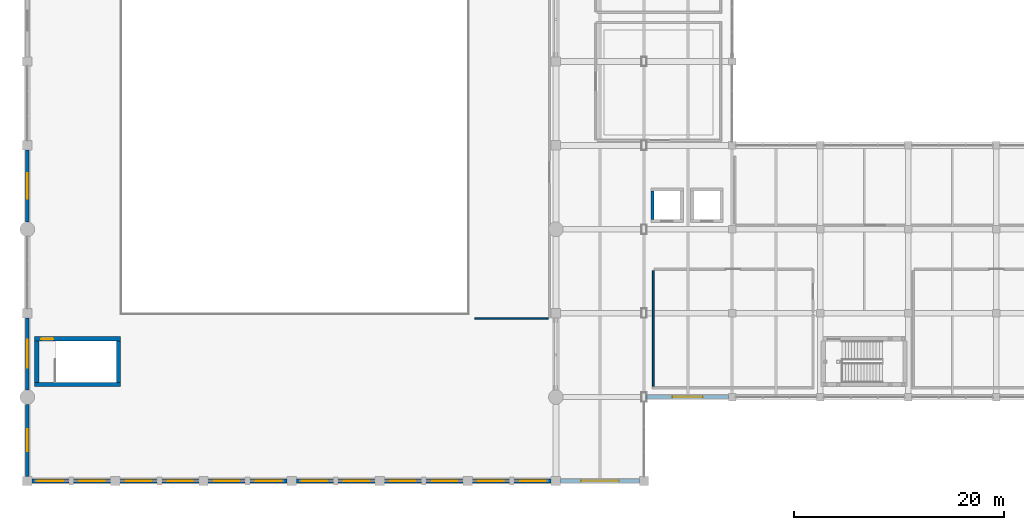
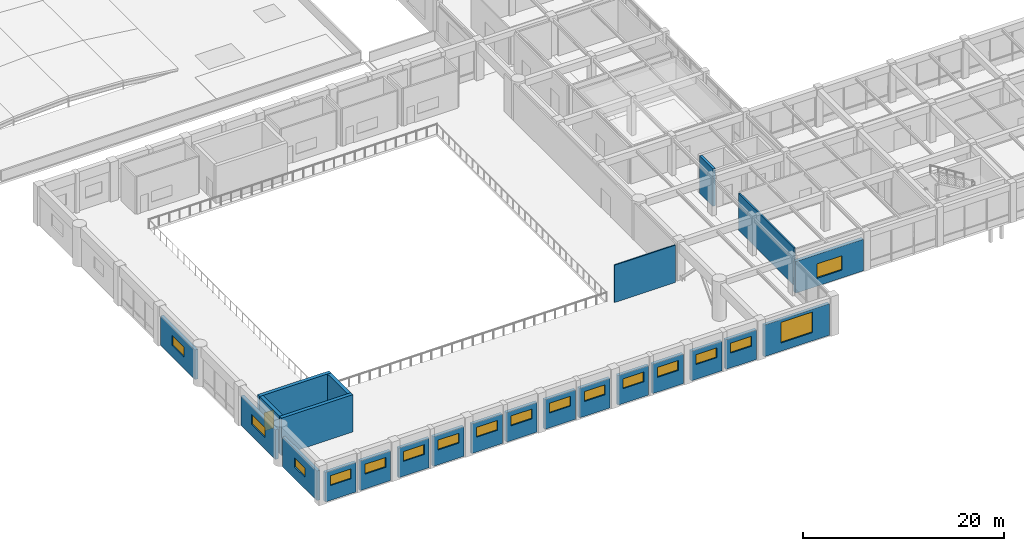
# One storey, part 49 of 76: 24 walls, 17 windows, 1 door, 18 openings.
"""IFC4 building model written with IfcOpenShell, lengths in metres."""

from ifc_helpers import new_model, si_unit, direction, frame, frame_2d, origin, place, context, subcontext, project, spatial, rectangle, extrude, material, layer, layer_set, type_object, element, fill, save


model = new_model("IFC4")

# Units and contexts
model_context = context("Model", 3, precision=1e-05, world=origin(), true_north=direction((0.0, 1.0)))
body_context = subcontext(model_context, "Body", "Model", "MODEL_VIEW")
ifc_project = project(units=[si_unit("LENGTHUNIT", "METRE"), si_unit("AREAUNIT", "SQUARE_METRE"), si_unit("VOLUMEUNIT", "CUBIC_METRE"), si_unit("PLANEANGLEUNIT", "RADIAN"), si_unit("MASSUNIT", "GRAM", prefix="KILO")], contexts=[model_context])

# Site, building, storey
site_placement = place(None, origin())
site = spatial("IfcSite", under=ifc_project, at=site_placement, CompositionType="ELEMENT")
building_placement = place(site_placement, origin())
building = spatial("IfcBuilding", under=site, at=building_placement, Name="Naruveol Harbour Congress Hotel", CompositionType="ELEMENT")
storey_placement = place(building_placement, frame((0.0, 0.0, 11.39990234375)))
storey = spatial("IfcBuildingStorey", under=building, at=storey_placement, Name="L02", CompositionType="ELEMENT", Elevation=11.39990234375)

# Wall, opening, window
ifc_material_1 = material(Name="Concrete C40/50", Category="concrete")
ifc_layer_1 = layer(ifc_material_1, 0.340087890625)
ifc_layer_set_1 = layer_set([ifc_layer_1], Name="Concrete C40/50")
wall_type_1 = type_object("IfcWallType", Name="ACOUSTIC CONGRESS ENVELOPE WALL 340", PredefinedType="SOLIDWALL", material=ifc_layer_set_1)
wall_1_placement = place(storey_placement, frame((49.949951171875, 0.0, 0.0), z_axis=(0.0, 0.0, 1.0), x_axis=(-1.0, 0.0, 0.0)))
wall_1 = element("IfcWall", 1, at=wall_1_placement, inside=storey, type_object=wall_type_1, Name="Congress south acoustic facade EW-340", PredefinedType="SOLIDWALL", context=body_context, shape_type="SweptSolid", body=[
    extrude(rectangle(XDim=3.52490234375, YDim=0.340087890625, at=frame_2d((1.762451171875, 0.0))), origin(), (0.0, 0.0, 1.0), 3.60009765625),
])
opening_1_placement = place(wall_1_placement, frame((0.56298828125, 0.0, 1.800048828125)))
opening_1 = element("IfcOpeningElement", 2, at=opening_1_placement, cuts=wall_1, Name="Opening W-19", PredefinedType="OPENING", context=body_context, shape_type="SweptSolid", body=[
    extrude(rectangle(XDim=2.39990234375, YDim=1.199951171875, at=frame_2d((1.199951171875, 0.60009765625))), frame((0.0, 0.179931640625, 0.0), z_axis=(0.0, -1.0, 0.0), x_axis=(1.0, 0.0, 0.0)), (0.0, 0.0, 1.0), 0.360107421875),
])
ifc_material_2 = material(Name="Low-E Triple Glazing in Thermal Aluminium", Category="aluminium")
window_type_1 = type_object("IfcWindowType", Name="AUDITORIUM ACOUSTIC CLERESTORY 2400X1200", PartitioningType="DOUBLE_PANEL_VERTICAL", PredefinedType="WINDOW", material=ifc_material_2)
window_1_placement = place(opening_1_placement, origin())
window_1 = element("IfcWindow", 3, at=window_1_placement, inside=storey, type_object=window_type_1, Name="Window W-19 #55", OverallHeight=1.199951171875, OverallWidth=2.39990234375, PartitioningType="DOUBLE_PANEL_VERTICAL", PredefinedType="WINDOW", context=body_context, shape_type="SweptSolid", body=[
    extrude(rectangle(XDim=2.39990234375, YDim=1.199951171875, at=frame_2d((1.199951171875, 0.60009765625))), frame((0.0, 0.030029296875, 0.0), z_axis=(0.0, -1.0, 0.0), x_axis=(1.0, 0.0, 0.0)), (0.0, 0.0, 1.0), 0.06005859375),
])
fill(opening_1, window_1)

wall_2_placement = place(storey_placement, frame((45.97509765625, 0.0, 0.0), z_axis=(0.0, 0.0, 1.0), x_axis=(-1.0, 0.0, 0.0)))
wall_2 = element("IfcWall", 4, at=wall_2_placement, inside=storey, type_object=wall_type_1, Name="Congress south acoustic facade EW-340", PredefinedType="SOLIDWALL", context=body_context, shape_type="SweptSolid", body=[
    extrude(rectangle(XDim=3.525146484375, YDim=0.340087890625, at=frame_2d((1.7626953125, 0.0))), origin(), (0.0, 0.0, 1.0), 3.60009765625),
])
opening_2_placement = place(wall_2_placement, frame((0.56201171875, 0.0, 1.800048828125)))
opening_2 = element("IfcOpeningElement", 5, at=opening_2_placement, cuts=wall_2, Name="Opening W-19", PredefinedType="OPENING", context=body_context, shape_type="SweptSolid", body=[
    extrude(rectangle(XDim=2.39990234375, YDim=1.199951171875, at=frame_2d((1.199951171875, 0.60009765625))), frame((0.0, 0.179931640625, 0.0), z_axis=(0.0, -1.0, 0.0), x_axis=(1.0, 0.0, 0.0)), (0.0, 0.0, 1.0), 0.360107421875),
])
window_2_placement = place(opening_2_placement, origin())
window_2 = element("IfcWindow", 6, at=window_2_placement, inside=storey, type_object=window_type_1, Name="Window W-19 #56", OverallHeight=1.199951171875, OverallWidth=2.39990234375, PartitioningType="DOUBLE_PANEL_VERTICAL", PredefinedType="WINDOW", context=body_context, shape_type="SweptSolid", body=[
    extrude(rectangle(XDim=2.39990234375, YDim=1.199951171875, at=frame_2d((1.199951171875, 0.60009765625))), frame((0.0, 0.030029296875, 0.0), z_axis=(0.0, -1.0, 0.0), x_axis=(1.0, 0.0, 0.0)), (0.0, 0.0, 1.0), 0.06005859375),
])
fill(opening_2, window_2)

wall_3_placement = place(storey_placement, frame((41.550048828125, 0.0, 0.0), z_axis=(0.0, 0.0, 1.0), x_axis=(-1.0, 0.0, 0.0)))
wall_3 = element("IfcWall", 7, at=wall_3_placement, inside=storey, type_object=wall_type_1, Name="Congress south acoustic facade EW-340", PredefinedType="SOLIDWALL", context=body_context, shape_type="SweptSolid", body=[
    extrude(rectangle(XDim=3.525146484375, YDim=0.340087890625, at=frame_2d((1.7626953125, 0.0))), origin(), (0.0, 0.0, 1.0), 3.60009765625),
])
opening_3_placement = place(wall_3_placement, frame((0.56201171875, 0.0, 1.800048828125)))
opening_3 = element("IfcOpeningElement", 8, at=opening_3_placement, cuts=wall_3, Name="Opening W-19", PredefinedType="OPENING", context=body_context, shape_type="SweptSolid", body=[
    extrude(rectangle(XDim=2.39990234375, YDim=1.199951171875, at=frame_2d((1.199951171875, 0.60009765625))), frame((0.0, 0.179931640625, 0.0), z_axis=(0.0, -1.0, 0.0), x_axis=(1.0, 0.0, 0.0)), (0.0, 0.0, 1.0), 0.360107421875),
])
window_3_placement = place(opening_3_placement, origin())
window_3 = element("IfcWindow", 9, at=window_3_placement, inside=storey, type_object=window_type_1, Name="Window W-19 #57", OverallHeight=1.199951171875, OverallWidth=2.39990234375, PartitioningType="DOUBLE_PANEL_VERTICAL", PredefinedType="WINDOW", context=body_context, shape_type="SweptSolid", body=[
    extrude(rectangle(XDim=2.39990234375, YDim=1.199951171875, at=frame_2d((1.199951171875, 0.60009765625))), frame((0.0, 0.030029296875, 0.0), z_axis=(0.0, -1.0, 0.0), x_axis=(1.0, 0.0, 0.0)), (0.0, 0.0, 1.0), 0.06005859375),
])
fill(opening_3, window_3)

wall_4_placement = place(storey_placement, frame((37.574951171875, 0.0, 0.0), z_axis=(0.0, 0.0, 1.0), x_axis=(-1.0, 0.0, 0.0)))
wall_4 = element("IfcWall", 10, at=wall_4_placement, inside=storey, type_object=wall_type_1, Name="Congress south acoustic facade EW-340", PredefinedType="SOLIDWALL", context=body_context, shape_type="SweptSolid", body=[
    extrude(rectangle(XDim=3.52490234375, YDim=0.340087890625, at=frame_2d((1.762451171875, 0.0))), origin(), (0.0, 0.0, 1.0), 3.60009765625),
])
opening_4_placement = place(wall_4_placement, frame((0.56298828125, 0.0, 1.800048828125)))
opening_4 = element("IfcOpeningElement", 11, at=opening_4_placement, cuts=wall_4, Name="Opening W-19", PredefinedType="OPENING", context=body_context, shape_type="SweptSolid", body=[
    extrude(rectangle(XDim=2.39990234375, YDim=1.199951171875, at=frame_2d((1.199951171875, 0.60009765625))), frame((0.0, 0.179931640625, 0.0), z_axis=(0.0, -1.0, 0.0), x_axis=(1.0, 0.0, 0.0)), (0.0, 0.0, 1.0), 0.360107421875),
])
window_4_placement = place(opening_4_placement, origin())
window_4 = element("IfcWindow", 12, at=window_4_placement, inside=storey, type_object=window_type_1, Name="Window W-19 #58", OverallHeight=1.199951171875, OverallWidth=2.39990234375, PartitioningType="DOUBLE_PANEL_VERTICAL", PredefinedType="WINDOW", context=body_context, shape_type="SweptSolid", body=[
    extrude(rectangle(XDim=2.39990234375, YDim=1.199951171875, at=frame_2d((1.199951171875, 0.60009765625))), frame((0.0, 0.030029296875, 0.0), z_axis=(0.0, -1.0, 0.0), x_axis=(1.0, 0.0, 0.0)), (0.0, 0.0, 1.0), 0.06005859375),
])
fill(opening_4, window_4)

wall_5_placement = place(storey_placement, frame((33.14990234375, 0.0, 0.0), z_axis=(0.0, 0.0, 1.0), x_axis=(-1.0, 0.0, 0.0)))
wall_5 = element("IfcWall", 13, at=wall_5_placement, inside=storey, type_object=wall_type_1, Name="Congress south acoustic facade EW-340", PredefinedType="SOLIDWALL", context=body_context, shape_type="SweptSolid", body=[
    extrude(rectangle(XDim=3.52490234375, YDim=0.340087890625, at=frame_2d((1.762451171875, 0.0))), origin(), (0.0, 0.0, 1.0), 3.60009765625),
])
opening_5_placement = place(wall_5_placement, frame((0.56201171875, 0.0, 1.800048828125)))
opening_5 = element("IfcOpeningElement", 14, at=opening_5_placement, cuts=wall_5, Name="Opening W-19", PredefinedType="OPENING", context=body_context, shape_type="SweptSolid", body=[
    extrude(rectangle(XDim=2.39990234375, YDim=1.199951171875, at=frame_2d((1.199951171875, 0.60009765625))), frame((0.0, 0.179931640625, 0.0), z_axis=(0.0, -1.0, 0.0), x_axis=(1.0, 0.0, 0.0)), (0.0, 0.0, 1.0), 0.360107421875),
])
window_5_placement = place(opening_5_placement, origin())
window_5 = element("IfcWindow", 15, at=window_5_placement, inside=storey, type_object=window_type_1, Name="Window W-19 #59", OverallHeight=1.199951171875, OverallWidth=2.39990234375, PartitioningType="DOUBLE_PANEL_VERTICAL", PredefinedType="WINDOW", context=body_context, shape_type="SweptSolid", body=[
    extrude(rectangle(XDim=2.39990234375, YDim=1.199951171875, at=frame_2d((1.199951171875, 0.60009765625))), frame((0.0, 0.030029296875, 0.0), z_axis=(0.0, -1.0, 0.0), x_axis=(1.0, 0.0, 0.0)), (0.0, 0.0, 1.0), 0.06005859375),
])
fill(opening_5, window_5)

wall_6_placement = place(storey_placement, frame((29.175048828125, 0.0, 0.0), z_axis=(0.0, 0.0, 1.0), x_axis=(-1.0, 0.0, 0.0)))
wall_6 = element("IfcWall", 16, at=wall_6_placement, inside=storey, type_object=wall_type_1, Name="Congress south acoustic facade EW-340", PredefinedType="SOLIDWALL", context=body_context, shape_type="SweptSolid", body=[
    extrude(rectangle(XDim=3.525146484375, YDim=0.340087890625, at=frame_2d((1.7626953125, 0.0))), origin(), (0.0, 0.0, 1.0), 3.60009765625),
])
opening_6_placement = place(wall_6_placement, frame((0.56298828125, 0.0, 1.800048828125)))
opening_6 = element("IfcOpeningElement", 17, at=opening_6_placement, cuts=wall_6, Name="Opening W-19", PredefinedType="OPENING", context=body_context, shape_type="SweptSolid", body=[
    extrude(rectangle(XDim=2.39990234375, YDim=1.199951171875, at=frame_2d((1.199951171875, 0.60009765625))), frame((0.0, 0.179931640625, 0.0), z_axis=(0.0, -1.0, 0.0), x_axis=(1.0, 0.0, 0.0)), (0.0, 0.0, 1.0), 0.360107421875),
])
window_6_placement = place(opening_6_placement, origin())
window_6 = element("IfcWindow", 18, at=window_6_placement, inside=storey, type_object=window_type_1, Name="Window W-19 #60", OverallHeight=1.199951171875, OverallWidth=2.39990234375, PartitioningType="DOUBLE_PANEL_VERTICAL", PredefinedType="WINDOW", context=body_context, shape_type="SweptSolid", body=[
    extrude(rectangle(XDim=2.39990234375, YDim=1.199951171875, at=frame_2d((1.199951171875, 0.60009765625))), frame((0.0, 0.030029296875, 0.0), z_axis=(0.0, -1.0, 0.0), x_axis=(1.0, 0.0, 0.0)), (0.0, 0.0, 1.0), 0.06005859375),
])
fill(opening_6, window_6)

wall_7_placement = place(storey_placement, frame((24.75, 0.0, 0.0), z_axis=(0.0, 0.0, 1.0), x_axis=(-1.0, 0.0, 0.0)))
wall_7 = element("IfcWall", 19, at=wall_7_placement, inside=storey, type_object=wall_type_1, Name="Congress south acoustic facade EW-340", PredefinedType="SOLIDWALL", context=body_context, shape_type="SweptSolid", body=[
    extrude(rectangle(XDim=3.52490234375, YDim=0.340087890625, at=frame_2d((1.762451171875, 0.0))), origin(), (0.0, 0.0, 1.0), 3.60009765625),
])
opening_7_placement = place(wall_7_placement, frame((0.56201171875, 0.0, 1.800048828125)))
opening_7 = element("IfcOpeningElement", 20, at=opening_7_placement, cuts=wall_7, Name="Opening W-19", PredefinedType="OPENING", context=body_context, shape_type="SweptSolid", body=[
    extrude(rectangle(XDim=2.39990234375, YDim=1.199951171875, at=frame_2d((1.199951171875, 0.60009765625))), frame((0.0, 0.179931640625, 0.0), z_axis=(0.0, -1.0, 0.0), x_axis=(1.0, 0.0, 0.0)), (0.0, 0.0, 1.0), 0.360107421875),
])
window_7_placement = place(opening_7_placement, origin())
window_7 = element("IfcWindow", 21, at=window_7_placement, inside=storey, type_object=window_type_1, Name="Window W-19 #61", OverallHeight=1.199951171875, OverallWidth=2.39990234375, PartitioningType="DOUBLE_PANEL_VERTICAL", PredefinedType="WINDOW", context=body_context, shape_type="SweptSolid", body=[
    extrude(rectangle(XDim=2.39990234375, YDim=1.199951171875, at=frame_2d((1.199951171875, 0.60009765625))), frame((0.0, 0.030029296875, 0.0), z_axis=(0.0, -1.0, 0.0), x_axis=(1.0, 0.0, 0.0)), (0.0, 0.0, 1.0), 0.06005859375),
])
fill(opening_7, window_7)

wall_8_placement = place(storey_placement, frame((20.77490234375, 0.0, 0.0), z_axis=(0.0, 0.0, 1.0), x_axis=(-1.0, 0.0, 0.0)))
wall_8 = element("IfcWall", 22, at=wall_8_placement, inside=storey, type_object=wall_type_1, Name="Congress south acoustic facade EW-340", PredefinedType="SOLIDWALL", context=body_context, shape_type="SweptSolid", body=[
    extrude(rectangle(XDim=3.52490234375, YDim=0.340087890625, at=frame_2d((1.762451171875, 0.0))), origin(), (0.0, 0.0, 1.0), 3.60009765625),
])
opening_8_placement = place(wall_8_placement, frame((0.56201171875, 0.0, 1.800048828125)))
opening_8 = element("IfcOpeningElement", 23, at=opening_8_placement, cuts=wall_8, Name="Opening W-19", PredefinedType="OPENING", context=body_context, shape_type="SweptSolid", body=[
    extrude(rectangle(XDim=2.39990234375, YDim=1.199951171875, at=frame_2d((1.199951171875, 0.60009765625))), frame((0.0, 0.179931640625, 0.0), z_axis=(0.0, -1.0, 0.0), x_axis=(1.0, 0.0, 0.0)), (0.0, 0.0, 1.0), 0.360107421875),
])
window_8_placement = place(opening_8_placement, origin())
window_8 = element("IfcWindow", 24, at=window_8_placement, inside=storey, type_object=window_type_1, Name="Window W-19 #62", OverallHeight=1.199951171875, OverallWidth=2.39990234375, PartitioningType="DOUBLE_PANEL_VERTICAL", PredefinedType="WINDOW", context=body_context, shape_type="SweptSolid", body=[
    extrude(rectangle(XDim=2.39990234375, YDim=1.199951171875, at=frame_2d((1.199951171875, 0.60009765625))), frame((0.0, 0.030029296875, 0.0), z_axis=(0.0, -1.0, 0.0), x_axis=(1.0, 0.0, 0.0)), (0.0, 0.0, 1.0), 0.06005859375),
])
fill(opening_8, window_8)

wall_9_placement = place(storey_placement, frame((16.35009765625, 0.0, 0.0), z_axis=(0.0, 0.0, 1.0), x_axis=(-1.0, 0.0, 0.0)))
wall_9 = element("IfcWall", 25, at=wall_9_placement, inside=storey, type_object=wall_type_1, Name="Congress south acoustic facade EW-340", PredefinedType="SOLIDWALL", context=body_context, shape_type="SweptSolid", body=[
    extrude(rectangle(XDim=3.525146484375, YDim=0.340087890625, at=frame_2d((1.7626953125, 0.0))), origin(), (0.0, 0.0, 1.0), 3.60009765625),
])
opening_9_placement = place(wall_9_placement, frame((0.56298828125, 0.0, 1.800048828125)))
opening_9 = element("IfcOpeningElement", 26, at=opening_9_placement, cuts=wall_9, Name="Opening W-19", PredefinedType="OPENING", context=body_context, shape_type="SweptSolid", body=[
    extrude(rectangle(XDim=2.39990234375, YDim=1.199951171875, at=frame_2d((1.199951171875, 0.60009765625))), frame((0.0, 0.179931640625, 0.0), z_axis=(0.0, -1.0, 0.0), x_axis=(1.0, 0.0, 0.0)), (0.0, 0.0, 1.0), 0.360107421875),
])
window_9_placement = place(opening_9_placement, origin())
window_9 = element("IfcWindow", 27, at=window_9_placement, inside=storey, type_object=window_type_1, Name="Window W-19 #63", OverallHeight=1.199951171875, OverallWidth=2.39990234375, PartitioningType="DOUBLE_PANEL_VERTICAL", PredefinedType="WINDOW", context=body_context, shape_type="SweptSolid", body=[
    extrude(rectangle(XDim=2.39990234375, YDim=1.199951171875, at=frame_2d((1.199951171875, 0.60009765625))), frame((0.0, 0.030029296875, 0.0), z_axis=(0.0, -1.0, 0.0), x_axis=(1.0, 0.0, 0.0)), (0.0, 0.0, 1.0), 0.06005859375),
])
fill(opening_9, window_9)

wall_10_placement = place(storey_placement, frame((12.375, 0.0, 0.0), z_axis=(0.0, 0.0, 1.0), x_axis=(-1.0, 0.0, 0.0)))
wall_10 = element("IfcWall", 28, at=wall_10_placement, inside=storey, type_object=wall_type_1, Name="Congress south acoustic facade EW-340", PredefinedType="SOLIDWALL", context=body_context, shape_type="SweptSolid", body=[
    extrude(rectangle(XDim=3.52490234375, YDim=0.340087890625, at=frame_2d((1.762451171875, 0.0))), origin(), (0.0, 0.0, 1.0), 3.60009765625),
])
opening_10_placement = place(wall_10_placement, frame((0.56298828125, 0.0, 1.800048828125)))
opening_10 = element("IfcOpeningElement", 29, at=opening_10_placement, cuts=wall_10, Name="Opening W-19", PredefinedType="OPENING", context=body_context, shape_type="SweptSolid", body=[
    extrude(rectangle(XDim=2.39990234375, YDim=1.199951171875, at=frame_2d((1.199951171875, 0.60009765625))), frame((0.0, 0.179931640625, 0.0), z_axis=(0.0, -1.0, 0.0), x_axis=(1.0, 0.0, 0.0)), (0.0, 0.0, 1.0), 0.360107421875),
])
window_10_placement = place(opening_10_placement, origin())
window_10 = element("IfcWindow", 30, at=window_10_placement, inside=storey, type_object=window_type_1, Name="Window W-19 #64", OverallHeight=1.199951171875, OverallWidth=2.39990234375, PartitioningType="DOUBLE_PANEL_VERTICAL", PredefinedType="WINDOW", context=body_context, shape_type="SweptSolid", body=[
    extrude(rectangle(XDim=2.39990234375, YDim=1.199951171875, at=frame_2d((1.199951171875, 0.60009765625))), frame((0.0, 0.030029296875, 0.0), z_axis=(0.0, -1.0, 0.0), x_axis=(1.0, 0.0, 0.0)), (0.0, 0.0, 1.0), 0.06005859375),
])
fill(opening_10, window_10)

wall_11_placement = place(storey_placement, frame((7.949951171875, 0.0, 0.0), z_axis=(0.0, 0.0, 1.0), x_axis=(-1.0, 0.0, 0.0)))
wall_11 = element("IfcWall", 31, at=wall_11_placement, inside=storey, type_object=wall_type_1, Name="Congress south acoustic facade EW-340", PredefinedType="SOLIDWALL", context=body_context, shape_type="SweptSolid", body=[
    extrude(rectangle(XDim=3.52490234375, YDim=0.340087890625, at=frame_2d((1.762451171875, 0.0))), origin(), (0.0, 0.0, 1.0), 3.60009765625),
])
opening_11_placement = place(wall_11_placement, frame((0.56298828125, 0.0, 1.800048828125)))
opening_11 = element("IfcOpeningElement", 32, at=opening_11_placement, cuts=wall_11, Name="Opening W-19", PredefinedType="OPENING", context=body_context, shape_type="SweptSolid", body=[
    extrude(rectangle(XDim=2.39990234375, YDim=1.199951171875, at=frame_2d((1.199951171875, 0.60009765625))), frame((0.0, 0.179931640625, 0.0), z_axis=(0.0, -1.0, 0.0), x_axis=(1.0, 0.0, 0.0)), (0.0, 0.0, 1.0), 0.360107421875),
])
window_11_placement = place(opening_11_placement, origin())
window_11 = element("IfcWindow", 33, at=window_11_placement, inside=storey, type_object=window_type_1, Name="Window W-19 #65", OverallHeight=1.199951171875, OverallWidth=2.39990234375, PartitioningType="DOUBLE_PANEL_VERTICAL", PredefinedType="WINDOW", context=body_context, shape_type="SweptSolid", body=[
    extrude(rectangle(XDim=2.39990234375, YDim=1.199951171875, at=frame_2d((1.199951171875, 0.60009765625))), frame((0.0, 0.030029296875, 0.0), z_axis=(0.0, -1.0, 0.0), x_axis=(1.0, 0.0, 0.0)), (0.0, 0.0, 1.0), 0.06005859375),
])
fill(opening_11, window_11)

wall_12_placement = place(storey_placement, frame((3.97509765625, 0.0, 0.0), z_axis=(0.0, 0.0, 1.0), x_axis=(-1.0, 0.0, 0.0)))
wall_12 = element("IfcWall", 34, at=wall_12_placement, inside=storey, type_object=wall_type_1, Name="Congress south acoustic facade EW-340", PredefinedType="SOLIDWALL", context=body_context, shape_type="SweptSolid", body=[
    extrude(rectangle(XDim=3.525146484375, YDim=0.340087890625, at=frame_2d((1.7626953125, 0.0))), origin(), (0.0, 0.0, 1.0), 3.60009765625),
])
opening_12_placement = place(wall_12_placement, frame((0.56201171875, 0.0, 1.800048828125)))
opening_12 = element("IfcOpeningElement", 35, at=opening_12_placement, cuts=wall_12, Name="Opening W-19", PredefinedType="OPENING", context=body_context, shape_type="SweptSolid", body=[
    extrude(rectangle(XDim=2.39990234375, YDim=1.199951171875, at=frame_2d((1.199951171875, 0.60009765625))), frame((0.0, 0.179931640625, 0.0), z_axis=(0.0, -1.0, 0.0), x_axis=(1.0, 0.0, 0.0)), (0.0, 0.0, 1.0), 0.360107421875),
])
window_12_placement = place(opening_12_placement, origin())
window_12 = element("IfcWindow", 36, at=window_12_placement, inside=storey, type_object=window_type_1, Name="Window W-19 #66", OverallHeight=1.199951171875, OverallWidth=2.39990234375, PartitioningType="DOUBLE_PANEL_VERTICAL", PredefinedType="WINDOW", context=body_context, shape_type="SweptSolid", body=[
    extrude(rectangle(XDim=2.39990234375, YDim=1.199951171875, at=frame_2d((1.199951171875, 0.60009765625))), frame((0.0, 0.030029296875, 0.0), z_axis=(0.0, -1.0, 0.0), x_axis=(1.0, 0.0, 0.0)), (0.0, 0.0, 1.0), 0.06005859375),
])
fill(opening_12, window_12)

wall_13_placement = place(storey_placement, frame((58.35009765625, 0.0, 0.0), z_axis=(0.0, 0.0, 1.0), x_axis=(-1.0, 0.0, 0.0)))
wall_13 = element("IfcWall", 37, at=wall_13_placement, inside=storey, type_object=wall_type_1, Name="Congress foyer south wall EW-340", PredefinedType="SOLIDWALL", context=body_context, shape_type="SweptSolid", body=[
    extrude(rectangle(XDim=7.5, YDim=0.340087890625, at=frame_2d((3.75, 0.0))), origin(), (0.0, 0.0, 1.0), 3.840087890625),
])
opening_13_placement = place(wall_13_placement, frame((1.949951171875, 0.0, 1.0)))
opening_13 = element("IfcOpeningElement", 38, at=opening_13_placement, cuts=wall_13, Name="Opening W-12", PredefinedType="OPENING", context=body_context, shape_type="SweptSolid", body=[
    extrude(rectangle(XDim=3.60009765625, YDim=2.5, at=frame_2d((1.800048828125, 1.25))), frame((0.0, 0.179931640625, 0.0), z_axis=(0.0, -1.0, 0.0), x_axis=(1.0, 0.0, 0.0)), (0.0, 0.0, 1.0), 0.360107421875),
])
ifc_material_3 = material(Name="Low-E Triple Glazing in Thermal Aluminium", Category="aluminium")
window_type_2 = type_object("IfcWindowType", Name="CONCOURSE PICTURE WINDOW 3600X2500", PartitioningType="DOUBLE_PANEL_VERTICAL", PredefinedType="WINDOW", material=ifc_material_3)
window_13_placement = place(opening_13_placement, origin())
window_13 = element("IfcWindow", 39, at=window_13_placement, inside=storey, type_object=window_type_2, Name="Window W-12 #67", OverallHeight=2.5, OverallWidth=3.60009765625, PartitioningType="DOUBLE_PANEL_VERTICAL", PredefinedType="WINDOW", context=body_context, shape_type="SweptSolid", body=[
    extrude(rectangle(XDim=3.60009765625, YDim=2.5, at=frame_2d((1.800048828125, 1.25))), frame((0.0, 0.030029296875, 0.0), z_axis=(0.0, -1.0, 0.0), x_axis=(1.0, 0.0, 0.0)), (0.0, 0.0, 1.0), 0.06005859375),
])
fill(opening_13, window_13)

wall_14_placement = place(storey_placement, frame((0.0, 0.449951171875, 0.0), z_axis=(0.0, 0.0, 1.0), x_axis=(0.0, 1.0, 0.0)))
wall_14 = element("IfcWall", 40, at=wall_14_placement, inside=storey, type_object=wall_type_1, Name="Congress west quay facade EW-340", PredefinedType="SOLIDWALL", context=body_context, shape_type="SweptSolid", body=[
    extrude(rectangle(XDim=6.85009765625, YDim=0.340087890625, at=frame_2d((3.425048828125, 0.0))), origin(), (0.0, 0.0, 1.0), 3.60009765625),
])
opening_14_placement = place(wall_14_placement, frame((2.375, 0.0, 1.39990234375)))
opening_14 = element("IfcOpeningElement", 41, at=opening_14_placement, cuts=wall_14, Name="Opening W-17", PredefinedType="OPENING", context=body_context, shape_type="SweptSolid", body=[
    extrude(rectangle(XDim=2.10009765625, YDim=1.10009765625, at=frame_2d((1.050048828125, 0.550048828125))), frame((0.0, 0.179931640625, 0.0), z_axis=(0.0, -1.0, 0.0), x_axis=(1.0, 0.0, 0.0)), (0.0, 0.0, 1.0), 0.360107421875),
])
ifc_material_4 = material(Name="Low-E Triple Glazing in Thermal Aluminium", Category="aluminium")
window_type_3 = type_object("IfcWindowType", Name="SPA HIGHLIGHT WINDOW 2100X1100", PartitioningType="DOUBLE_PANEL_VERTICAL", PredefinedType="WINDOW", material=ifc_material_4)
window_14_placement = place(opening_14_placement, origin())
window_14 = element("IfcWindow", 42, at=window_14_placement, inside=storey, type_object=window_type_3, Name="Window W-17 #68", OverallHeight=1.10009765625, OverallWidth=2.10009765625, PartitioningType="DOUBLE_PANEL_VERTICAL", PredefinedType="WINDOW", context=body_context, shape_type="SweptSolid", body=[
    extrude(rectangle(XDim=2.10009765625, YDim=1.10009765625, at=frame_2d((1.050048828125, 0.550048828125))), frame((0.0, 0.030029296875, 0.0), z_axis=(0.0, -1.0, 0.0), x_axis=(1.0, 0.0, 0.0)), (0.0, 0.0, 1.0), 0.06005859375),
])
fill(opening_14, window_14)

wall_15_placement = place(storey_placement, frame((0.0, 8.699951171875, 0.0), z_axis=(0.0, 0.0, 1.0), x_axis=(0.0, 1.0, 0.0)))
wall_15 = element("IfcWall", 43, at=wall_15_placement, inside=storey, type_object=wall_type_1, Name="Congress west quay facade EW-340", PredefinedType="SOLIDWALL", context=body_context, shape_type="SweptSolid", body=[
    extrude(rectangle(XDim=6.85009765625, YDim=0.340087890625, at=frame_2d((3.425048828125, 0.0))), origin(), (0.0, 0.0, 1.0), 3.60009765625),
])
opening_15_placement = place(wall_15_placement, frame((2.074951171875, 0.0, 1.39990234375)))
opening_15 = element("IfcOpeningElement", 44, at=opening_15_placement, cuts=wall_15, Name="Opening W-18", PredefinedType="OPENING", context=body_context, shape_type="SweptSolid", body=[
    extrude(rectangle(XDim=2.699951171875, YDim=1.199951171875, at=frame_2d((1.35009765625, 0.60009765625))), frame((0.0, 0.179931640625, 0.0), z_axis=(0.0, -1.0, 0.0), x_axis=(1.0, 0.0, 0.0)), (0.0, 0.0, 1.0), 0.360107421875),
])
ifc_material_5 = material(Name="Low-E Triple Glazing in Thermal Aluminium", Category="aluminium")
window_type_4 = type_object("IfcWindowType", Name="BANQUET KITCHEN CLERESTORY 2700X1200", PartitioningType="DOUBLE_PANEL_VERTICAL", PredefinedType="WINDOW", material=ifc_material_5)
window_15_placement = place(opening_15_placement, origin())
window_15 = element("IfcWindow", 45, at=window_15_placement, inside=storey, type_object=window_type_4, Name="Window W-18 #69", OverallHeight=1.199951171875, OverallWidth=2.699951171875, PartitioningType="DOUBLE_PANEL_VERTICAL", PredefinedType="WINDOW", context=body_context, shape_type="SweptSolid", body=[
    extrude(rectangle(XDim=2.699951171875, YDim=1.199951171875, at=frame_2d((1.35009765625, 0.60009765625))), frame((0.0, 0.030029296875, 0.0), z_axis=(0.0, -1.0, 0.0), x_axis=(1.0, 0.0, 0.0)), (0.0, 0.0, 1.0), 0.06005859375),
])
fill(opening_15, window_15)

wall_16_placement = place(storey_placement, frame((0.0, 24.699951171875, 0.0), z_axis=(0.0, 0.0, 1.0), x_axis=(0.0, 1.0, 0.0)))
wall_16 = element("IfcWall", 46, at=wall_16_placement, inside=storey, type_object=wall_type_1, Name="Congress west quay facade EW-340", PredefinedType="SOLIDWALL", context=body_context, shape_type="SweptSolid", body=[
    extrude(rectangle(XDim=6.85009765625, YDim=0.340087890625, at=frame_2d((3.425048828125, 0.0))), origin(), (0.0, 0.0, 1.0), 3.60009765625),
])
opening_16_placement = place(wall_16_placement, frame((2.22509765625, 0.0, 1.39990234375)))
opening_16 = element("IfcOpeningElement", 47, at=opening_16_placement, cuts=wall_16, Name="Opening W-19", PredefinedType="OPENING", context=body_context, shape_type="SweptSolid", body=[
    extrude(rectangle(XDim=2.39990234375, YDim=1.199951171875, at=frame_2d((1.199951171875, 0.60009765625))), frame((0.0, 0.179931640625, 0.0), z_axis=(0.0, -1.0, 0.0), x_axis=(1.0, 0.0, 0.0)), (0.0, 0.0, 1.0), 0.360107421875),
])
window_16_placement = place(opening_16_placement, origin())
window_16 = element("IfcWindow", 48, at=window_16_placement, inside=storey, type_object=window_type_1, Name="Window W-19 #70", OverallHeight=1.199951171875, OverallWidth=2.39990234375, PartitioningType="DOUBLE_PANEL_VERTICAL", PredefinedType="WINDOW", context=body_context, shape_type="SweptSolid", body=[
    extrude(rectangle(XDim=2.39990234375, YDim=1.199951171875, at=frame_2d((1.199951171875, 0.60009765625))), frame((0.0, 0.030029296875, 0.0), z_axis=(0.0, -1.0, 0.0), x_axis=(1.0, 0.0, 0.0)), (0.0, 0.0, 1.0), 0.06005859375),
])
fill(opening_16, window_16)

# Walls
ifc_material_6 = material(Name="Autoclaved Aerated Concrete Block", Category="concrete")
ifc_layer_2 = layer(ifc_material_6, 0.179931640625)
ifc_layer_set_2 = layer_set([ifc_layer_2], Name="Autoclaved Aerated Concrete Block")
wall_type_2 = type_object("IfcWallType", Name="ACOUSTIC HALL PARTITION WALL 180 EI60", PredefinedType="PARTITIONING", material=ifc_layer_set_2)
wall_17_placement = place(storey_placement, frame((59.679931640625, 9.050048828125, 0.0), z_axis=(0.0, 0.0, 1.0), x_axis=(0.0, 1.0, 0.0)))
element("IfcWall", 49, at=wall_17_placement, inside=storey, type_object=wall_type_2, Name="Diplomatic Briefing Suite 201 west partition PW-180", PredefinedType="PARTITIONING", context=body_context, shape_type="SweptSolid", body=[
    extrude(rectangle(XDim=11.010009765625, YDim=0.179931640625, at=frame_2d((5.5048828125, 0.0))), origin(), (0.0, 0.0, 1.0), 4.53515625),
])
ifc_material_7 = material(Name="Acoustic Double Stud Gypsum", Category="gypsum")
ifc_layer_3 = layer(ifc_material_7, 0.139892578125)
ifc_layer_set_3 = layer_set([ifc_layer_3], Name="Acoustic Double Stud Gypsum")
wall_type_3 = type_object("IfcWallType", Name="ACOUSTIC MEETING PARTITION WALL 140", PredefinedType="PARTITIONING", material=ifc_layer_set_3)
wall_18_placement = place(storey_placement, frame((42.64990234375, 15.47998046875, 0.0), z_axis=(0.0, 0.0, 1.0), x_axis=(1.0, 0.0, 0.0)))
element("IfcWall", 50, at=wall_18_placement, inside=storey, type_object=wall_type_3, Name="Congress East Delegate Lounge south partition PW-140", PredefinedType="PARTITIONING", context=body_context, shape_type="SweptSolid", body=[
    extrude(rectangle(XDim=7.010009765625, YDim=0.139892578125, at=frame_2d((3.5048828125, 0.0))), origin(), (0.0, 0.0, 1.0), 4.53515625),
])

# Wall, opening, window
ifc_material_8 = material(Name="Concrete C40/50", Category="concrete")
ifc_layer_4 = layer(ifc_material_8, 0.3798828125)
ifc_layer_set_4 = layer_set([ifc_layer_4], Name="Concrete C40/50")
wall_type_4 = type_object("IfcWallType", Name="INSULATED GRANITE FACADE WALL 380", PredefinedType="SOLIDWALL", material=ifc_layer_set_4)
wall_19_placement = place(storey_placement, frame((66.85009765625, 8.0, 0.0), z_axis=(0.0, 0.0, 1.0), x_axis=(-1.0, 0.0, 0.0)))
wall_19 = element("IfcWall", 51, at=wall_19_placement, inside=storey, type_object=wall_type_4, Name="Courtyard wing south facade EW-380", PredefinedType="SOLIDWALL", context=body_context, shape_type="SweptSolid", body=[
    extrude(rectangle(XDim=7.800048828125, YDim=0.3798828125, at=frame_2d((3.89990234375, 0.0))), origin(), (0.0, 0.0, 1.0), 3.840087890625),
])
opening_17_placement = place(wall_19_placement, frame((2.449951171875, 0.0, 0.949951171875)))
opening_17 = element("IfcOpeningElement", 52, at=opening_17_placement, cuts=wall_19, Name="Opening W-23", PredefinedType="OPENING", context=body_context, shape_type="SweptSolid", body=[
    extrude(rectangle(XDim=2.89990234375, YDim=1.75, at=frame_2d((1.449951171875, 0.875))), frame((0.0, 0.199951171875, 0.0), z_axis=(0.0, -1.0, 0.0), x_axis=(1.0, 0.0, 0.0)), (0.0, 0.0, 1.0), 0.39990234375),
])
ifc_material_9 = material(Name="Low-E Triple Glazing in Thermal Aluminium", Category="aluminium")
window_type_5 = type_object("IfcWindowType", Name="BOARDROOM HARBOUR WINDOW 2900X1750", PartitioningType="DOUBLE_PANEL_VERTICAL", PredefinedType="WINDOW", material=ifc_material_9)
window_17_placement = place(opening_17_placement, origin())
window_17 = element("IfcWindow", 53, at=window_17_placement, inside=storey, type_object=window_type_5, Name="Window W-23 #148", OverallHeight=1.75, OverallWidth=2.89990234375, PartitioningType="DOUBLE_PANEL_VERTICAL", PredefinedType="WINDOW", context=body_context, shape_type="SweptSolid", body=[
    extrude(rectangle(XDim=2.89990234375, YDim=1.75, at=frame_2d((1.449951171875, 0.875))), frame((0.0, 0.030029296875, 0.0), z_axis=(0.0, -1.0, 0.0), x_axis=(1.0, 0.0, 0.0)), (0.0, 0.0, 1.0), 0.06005859375),
])
fill(opening_17, window_17)

# Walls
ifc_material_10 = material(Name="Concrete C50/60", Category="concrete")
ifc_layer_5 = layer(ifc_material_10, 0.39990234375)
ifc_layer_set_5 = layer_set([ifc_layer_5], Name="Concrete C50/60")
wall_type_5 = type_object("IfcWallType", Name="RC CORE SHEAR WALL 400 EI120", PredefinedType="SHEAR", material=ifc_layer_set_5)
wall_20_placement = place(storey_placement, frame((0.699951171875, 9.199951171875, 0.0), z_axis=(0.0, 0.0, 1.0), x_axis=(1.0, 0.0, 0.0)))
element("IfcWall", 54, at=wall_20_placement, inside=storey, type_object=wall_type_5, Name="Stair ST5 south core wall CW-400", PredefinedType="SHEAR", context=body_context, shape_type="SweptSolid", body=[
    extrude(rectangle(XDim=8.199951171875, YDim=0.39990234375, at=frame_2d((4.10009765625, 0.0))), origin(), (0.0, 0.0, 1.0), 4.53515625),
])
wall_21_placement = place(storey_placement, frame((8.699951171875, 9.405029296875, 0.0), z_axis=(0.0, 0.0, 1.0), x_axis=(0.0, 1.0, 0.0)))
element("IfcWall", 55, at=wall_21_placement, inside=storey, type_object=wall_type_5, Name="Stair ST5 east core wall CW-400", PredefinedType="SHEAR", context=body_context, shape_type="SweptSolid", body=[
    extrude(rectangle(XDim=3.949951171875, YDim=0.39990234375, at=frame_2d((1.97509765625, 0.0))), origin(), (0.0, 0.0, 1.0), 4.53515625),
])

# Wall, opening, door
wall_22_placement = place(storey_placement, frame((0.699951171875, 13.56005859375, 0.0), z_axis=(0.0, 0.0, 1.0), x_axis=(1.0, 0.0, 0.0)))
wall_22 = element("IfcWall", 56, at=wall_22_placement, inside=storey, type_object=wall_type_5, Name="Stair ST5 north core wall CW-400", PredefinedType="SHEAR", context=body_context, shape_type="SweptSolid", body=[
    extrude(rectangle(XDim=8.199951171875, YDim=0.39990234375, at=frame_2d((4.10009765625, 0.0))), origin(), (0.0, 0.0, 1.0), 4.53515625),
])
opening_18_placement = place(wall_22_placement, frame((0.6201171875, 0.0, 0.0)))
opening_18 = element("IfcOpeningElement", 57, at=opening_18_placement, cuts=wall_22, Name="Opening FD-ST5-L02", PredefinedType="OPENING", context=body_context, shape_type="SweptSolid", body=[
    extrude(rectangle(XDim=1.159912109375, YDim=2.199951171875, at=frame_2d((0.580078125, 1.10009765625))), frame((0.0, 0.2099609375, 0.0), z_axis=(0.0, -1.0, 0.0), x_axis=(1.0, 0.0, 0.0)), (0.0, 0.0, 1.0), 0.419921875),
])
ifc_material_11 = material(Name="Timber & Steel Acoustic Leaf", Category="steel")
door_type = type_object("IfcDoorType", Name="SPECIAL ESCAPE STAIR FIRE DOOR 1160X2200", OperationType="NOTDEFINED", PredefinedType="DOOR", material=ifc_material_11)
door_placement = place(opening_18_placement, origin())
door = element("IfcDoor", 58, at=door_placement, inside=storey, type_object=door_type, Name="Enclosed Exit Stair Door ST5 L02", OperationType="SINGLE_SWING_LEFT", OverallHeight=2.199951171875, OverallWidth=1.159912109375, PredefinedType="DOOR", context=body_context, shape_type="SweptSolid", body=[
    extrude(rectangle(XDim=1.159912109375, YDim=2.199951171875, at=frame_2d((0.580078125, 1.10009765625))), frame((0.0, 0.02490234375, 0.0), z_axis=(0.0, -1.0, 0.0), x_axis=(1.0, 0.0, 0.0)), (0.0, 0.0, 1.0), 0.050048828125),
])
fill(opening_18, door)

# Walls
wall_23_placement = place(storey_placement, frame((0.89990234375, 9.405029296875, 0.0), z_axis=(0.0, 0.0, 1.0), x_axis=(0.0, 1.0, 0.0)))
element("IfcWall", 59, at=wall_23_placement, inside=storey, type_object=wall_type_5, Name="Stair ST5 west core wall CW-400", PredefinedType="SHEAR", context=body_context, shape_type="SweptSolid", body=[
    extrude(rectangle(XDim=3.949951171875, YDim=0.39990234375, at=frame_2d((1.97509765625, 0.0))), origin(), (0.0, 0.0, 1.0), 4.53515625),
])
ifc_material_12 = material(Name="Concrete C50/60", Category="concrete")
ifc_layer_6 = layer(ifc_material_12, 0.300048828125)
ifc_layer_set_6 = layer_set([ifc_layer_6], Name="Concrete C50/60")
wall_type_6 = type_object("IfcWallType", Name="RC STAIR AND HOISTWAY SHEAR WALL 300 EI120", PredefinedType="SHEAR", material=ifc_layer_set_6)
wall_24_placement = place(storey_placement, frame((59.60009765625, 27.64501953125, 0.0), z_axis=(0.0, 0.0, 1.0), x_axis=(0.0, -1.0, 0.0)))
element("IfcWall", 60, at=wall_24_placement, inside=storey, type_object=wall_type_6, Name="Hoistway west shear wall CL1 SW-300", PredefinedType="SHEAR", context=body_context, shape_type="SweptSolid", body=[
    extrude(rectangle(XDim=2.68994140625, YDim=0.300048828125, at=frame_2d((1.344970703125, 0.0))), origin(), (0.0, 0.0, 1.0), 4.53515625),
])

save(model, "model.ifc")
